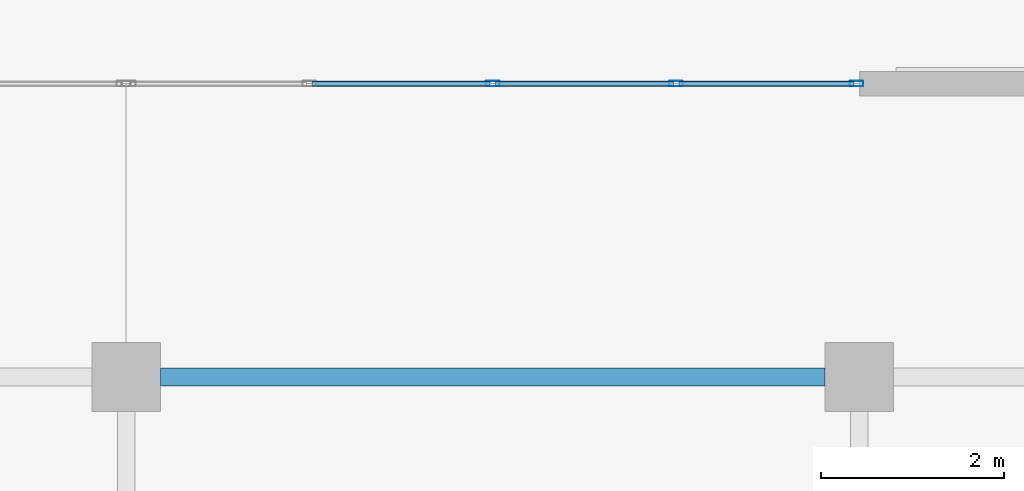
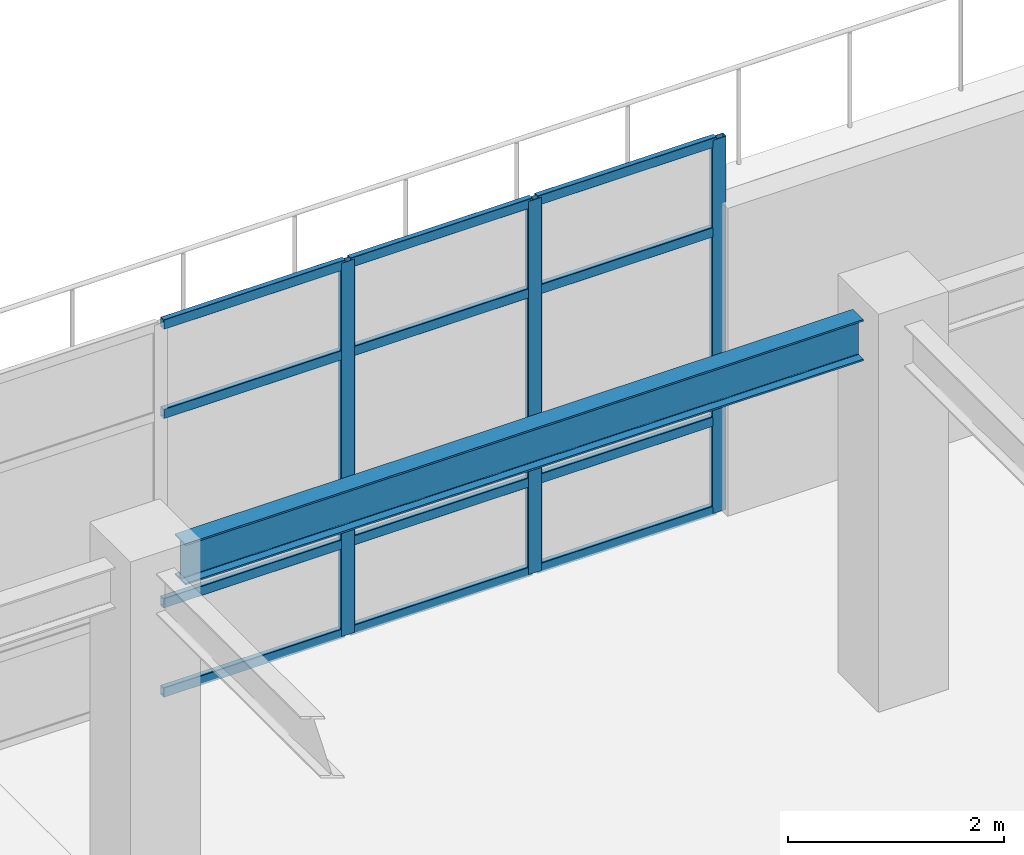
# One storey, part 16 of 42: 15 members, 1 beam, 1 element without a shape of its own.
"""IFC4 building model written with IfcOpenShell, lengths in metres."""

from ifc_helpers import new_model, si_unit, direction, frame, origin, origin_2d, place, context, subcontext, project, spatial, hollow_rectangle, i_section, extrude, material, material_profile, profile_set, type_object, element, aggregate, save


model = new_model("IFC4")

# Units and contexts
model_context = context("Model", 3, precision=1e-05, world=origin(), true_north=direction((0.0, 1.0)))
body_context = subcontext(model_context, "Body", "Model", "MODEL_VIEW")
ifc_project = project(units=[si_unit("LENGTHUNIT", "METRE"), si_unit("AREAUNIT", "SQUARE_METRE"), si_unit("VOLUMEUNIT", "CUBIC_METRE"), si_unit("PLANEANGLEUNIT", "RADIAN"), si_unit("MASSUNIT", "GRAM", prefix="KILO")], contexts=[model_context])

# Site, building, storey
site_placement = place(None, origin())
site = spatial("IfcSite", under=ifc_project, at=site_placement, CompositionType="ELEMENT")
building_placement = place(site_placement, origin())
building = spatial("IfcBuilding", under=site, at=building_placement, Name="Solmirada Galleria", CompositionType="ELEMENT")
storey_placement = place(building_placement, frame((0.0, 0.0, 28.39990234375)))
storey = spatial("IfcBuildingStorey", under=building, at=storey_placement, Name="L06", CompositionType="ELEMENT", Elevation=28.39990234375)

# Beam
ifc_material_1 = material(Name="Steel S355 / ASTM A992 Grade 50", Category="steel")
ifc_material_profile_1 = material_profile(ifc_material_1, i_section(OverallWidth=0.193115234375, OverallDepth=0.466064453125, WebThickness=0.011474609375, FlangeThickness=0.01904296875, FilletRadius=0.013916015625, at=origin_2d()), Name="W18X65")
ifc_profile_set_1 = profile_set([ifc_material_profile_1], Name="Steel S355 / ASTM A992 Grade 50")
beam_type = type_object("IfcBeamType", Name="BM-GIRD-W18C", PredefinedType="BEAM", material=ifc_profile_set_1)
beam_placement = place(storey_placement, frame((112.375, 16.0, 4.0400390625), z_axis=(1.0, 0.0, 0.0), x_axis=(0.0, 1.0, 0.0)))
element("IfcBeam", 1, at=beam_placement, inside=storey, type_object=beam_type, Name="South roof girder X=112..120", PredefinedType="BEAM", context=body_context, shape_type="SweptSolid", body=[
    extrude(i_section(OverallWidth=0.193115234375, OverallDepth=0.466064453125, WebThickness=0.011474609375, FlangeThickness=0.01904296875, FilletRadius=0.013916015625, at=origin_2d()), origin(), (0.0, 0.0, 1.0), 7.25),
])

# Curtain wall, members
ifc_material_2 = material(Name="Impact-resistant low-E double glazing", Category="glass")
curtain_wall_type = type_object("IfcCurtainWallType", Name="CW-FZ5-L06-B4-L080", PredefinedType="NOTDEFINED", material=ifc_material_2)
curtain_wall_placement = place(storey_placement, origin())
curtain_wall = element("IfcCurtainWall", 2, at=curtain_wall_placement, inside=storey, type_object=curtain_wall_type, Name="Terrace and arcade storefront CW-L06-200", PredefinedType="NOTDEFINED")
ifc_material_3 = material(Name="Anodised aluminium framing", Category="aluminium")
ifc_material_profile_2 = material_profile(ifc_material_3, hollow_rectangle(XDim=0.06005859375, YDim=0.14990234375, WallThickness=0.00341796875, InnerFilletRadius=0.00341796875, OuterFilletRadius=0.007080078125, at=origin_2d()), Name="ALU-MULL-150X60")
ifc_profile_set_2 = profile_set([ifc_material_profile_2], Name="Anodised aluminium framing")
member_type_1 = type_object("IfcMemberType", Name="CW-MULL-150", PredefinedType="MULLION", material=ifc_profile_set_2)
member_1_placement = place(storey_placement, frame((116.0, 19.199951171875, 0.0), z_axis=(0.0, 0.0, 1.0), x_axis=(0.0, 1.0, 0.0)))
member_1 = element("IfcMember", 3, at=member_1_placement, type_object=member_type_1, Name="CW39 mullion 3", PredefinedType="MULLION", context=body_context, shape_type="SweptSolid", body=[
    extrude(hollow_rectangle(XDim=0.06005859375, YDim=0.14990234375, WallThickness=0.00341796875, InnerFilletRadius=0.00341796875, OuterFilletRadius=0.007080078125, at=origin_2d()), origin(), (0.0, 0.0, 1.0), 4.22021484375),
])
member_2_placement = place(storey_placement, frame((118.0, 19.199951171875, 0.0), z_axis=(0.0, 0.0, 1.0), x_axis=(0.0, 1.0, 0.0)))
member_2 = element("IfcMember", 4, at=member_2_placement, type_object=member_type_1, Name="CW39 mullion 4", PredefinedType="MULLION", context=body_context, shape_type="SweptSolid", body=[
    extrude(hollow_rectangle(XDim=0.06005859375, YDim=0.14990234375, WallThickness=0.00341796875, InnerFilletRadius=0.00341796875, OuterFilletRadius=0.007080078125, at=origin_2d()), origin(), (0.0, 0.0, 1.0), 4.22021484375),
])
member_3_placement = place(storey_placement, frame((119.969970703125, 19.199951171875, 0.0), z_axis=(0.0, 0.0, 1.0), x_axis=(0.0, 1.0, 0.0)))
member_3 = element("IfcMember", 5, at=member_3_placement, type_object=member_type_1, Name="CW39 mullion 5", PredefinedType="MULLION", context=body_context, shape_type="SweptSolid", body=[
    extrude(hollow_rectangle(XDim=0.06005859375, YDim=0.14990234375, WallThickness=0.00341796875, InnerFilletRadius=0.00341796875, OuterFilletRadius=0.007080078125, at=origin_2d()), origin(), (0.0, 0.0, 1.0), 4.22021484375),
])
ifc_material_profile_3 = material_profile(ifc_material_3, hollow_rectangle(XDim=0.06005859375, YDim=0.110107421875, WallThickness=0.003173828125, InnerFilletRadius=0.003173828125, OuterFilletRadius=0.00634765625, at=origin_2d()), Name="ALU-TRAN-110X60")
ifc_profile_set_3 = profile_set([ifc_material_profile_3], Name="Anodised aluminium framing")
member_type_2 = type_object("IfcMemberType", Name="CW-TRAN-110", PredefinedType="USERDEFINED", material=ifc_profile_set_3)
member_4_placement = place(storey_placement, frame((114.030029296875, 19.199951171875, 0.030029296875), z_axis=(1.0, 0.0, 0.0), x_axis=(0.0, 1.0, 0.0)))
member_4 = element("IfcMember", 6, at=member_4_placement, type_object=member_type_2, Name="CW39 transom 2.1", ObjectType="TRANSOM", PredefinedType="USERDEFINED", context=body_context, shape_type="SweptSolid", body=[
    extrude(hollow_rectangle(XDim=0.06005859375, YDim=0.110107421875, WallThickness=0.003173828125, InnerFilletRadius=0.003173828125, OuterFilletRadius=0.00634765625, at=origin_2d()), origin(), (0.0, 0.0, 1.0), 1.93994140625),
])
member_5_placement = place(storey_placement, frame((114.030029296875, 19.199951171875, 1.0400390625), z_axis=(1.0, 0.0, 0.0), x_axis=(0.0, 1.0, 0.0)))
member_5 = element("IfcMember", 7, at=member_5_placement, type_object=member_type_2, Name="CW39 transom 2.2", ObjectType="TRANSOM", PredefinedType="USERDEFINED", context=body_context, shape_type="SweptSolid", body=[
    extrude(hollow_rectangle(XDim=0.06005859375, YDim=0.110107421875, WallThickness=0.003173828125, InnerFilletRadius=0.003173828125, OuterFilletRadius=0.00634765625, at=origin_2d()), origin(), (0.0, 0.0, 1.0), 1.93994140625),
])
member_6_placement = place(storey_placement, frame((114.030029296875, 19.199951171875, 3.18017578125), z_axis=(1.0, 0.0, 0.0), x_axis=(0.0, 1.0, 0.0)))
member_6 = element("IfcMember", 8, at=member_6_placement, type_object=member_type_2, Name="CW39 transom 2.3", ObjectType="TRANSOM", PredefinedType="USERDEFINED", context=body_context, shape_type="SweptSolid", body=[
    extrude(hollow_rectangle(XDim=0.06005859375, YDim=0.110107421875, WallThickness=0.003173828125, InnerFilletRadius=0.003173828125, OuterFilletRadius=0.00634765625, at=origin_2d()), origin(), (0.0, 0.0, 1.0), 1.93994140625),
])
member_7_placement = place(storey_placement, frame((114.030029296875, 19.199951171875, 4.190185546875), z_axis=(1.0, 0.0, 0.0), x_axis=(0.0, 1.0, 0.0)))
member_7 = element("IfcMember", 9, at=member_7_placement, type_object=member_type_2, Name="CW39 transom 2.4", ObjectType="TRANSOM", PredefinedType="USERDEFINED", context=body_context, shape_type="SweptSolid", body=[
    extrude(hollow_rectangle(XDim=0.06005859375, YDim=0.110107421875, WallThickness=0.003173828125, InnerFilletRadius=0.003173828125, OuterFilletRadius=0.00634765625, at=origin_2d()), origin(), (0.0, 0.0, 1.0), 1.93994140625),
])
member_8_placement = place(storey_placement, frame((116.030029296875, 19.199951171875, 0.030029296875), z_axis=(1.0, 0.0, 0.0), x_axis=(0.0, 1.0, 0.0)))
member_8 = element("IfcMember", 10, at=member_8_placement, type_object=member_type_2, Name="CW39 transom 3.1", ObjectType="TRANSOM", PredefinedType="USERDEFINED", context=body_context, shape_type="SweptSolid", body=[
    extrude(hollow_rectangle(XDim=0.06005859375, YDim=0.110107421875, WallThickness=0.003173828125, InnerFilletRadius=0.003173828125, OuterFilletRadius=0.00634765625, at=origin_2d()), origin(), (0.0, 0.0, 1.0), 1.93994140625),
])
member_9_placement = place(storey_placement, frame((116.030029296875, 19.199951171875, 1.0400390625), z_axis=(1.0, 0.0, 0.0), x_axis=(0.0, 1.0, 0.0)))
member_9 = element("IfcMember", 11, at=member_9_placement, type_object=member_type_2, Name="CW39 transom 3.2", ObjectType="TRANSOM", PredefinedType="USERDEFINED", context=body_context, shape_type="SweptSolid", body=[
    extrude(hollow_rectangle(XDim=0.06005859375, YDim=0.110107421875, WallThickness=0.003173828125, InnerFilletRadius=0.003173828125, OuterFilletRadius=0.00634765625, at=origin_2d()), origin(), (0.0, 0.0, 1.0), 1.93994140625),
])
member_10_placement = place(storey_placement, frame((116.030029296875, 19.199951171875, 3.18017578125), z_axis=(1.0, 0.0, 0.0), x_axis=(0.0, 1.0, 0.0)))
member_10 = element("IfcMember", 12, at=member_10_placement, type_object=member_type_2, Name="CW39 transom 3.3", ObjectType="TRANSOM", PredefinedType="USERDEFINED", context=body_context, shape_type="SweptSolid", body=[
    extrude(hollow_rectangle(XDim=0.06005859375, YDim=0.110107421875, WallThickness=0.003173828125, InnerFilletRadius=0.003173828125, OuterFilletRadius=0.00634765625, at=origin_2d()), origin(), (0.0, 0.0, 1.0), 1.93994140625),
])
member_11_placement = place(storey_placement, frame((116.030029296875, 19.199951171875, 4.190185546875), z_axis=(1.0, 0.0, 0.0), x_axis=(0.0, 1.0, 0.0)))
member_11 = element("IfcMember", 13, at=member_11_placement, type_object=member_type_2, Name="CW39 transom 3.4", ObjectType="TRANSOM", PredefinedType="USERDEFINED", context=body_context, shape_type="SweptSolid", body=[
    extrude(hollow_rectangle(XDim=0.06005859375, YDim=0.110107421875, WallThickness=0.003173828125, InnerFilletRadius=0.003173828125, OuterFilletRadius=0.00634765625, at=origin_2d()), origin(), (0.0, 0.0, 1.0), 1.93994140625),
])
member_12_placement = place(storey_placement, frame((118.030029296875, 19.199951171875, 0.030029296875), z_axis=(1.0, 0.0, 0.0), x_axis=(0.0, 1.0, 0.0)))
member_12 = element("IfcMember", 14, at=member_12_placement, type_object=member_type_2, Name="CW39 transom 4.1", ObjectType="TRANSOM", PredefinedType="USERDEFINED", context=body_context, shape_type="SweptSolid", body=[
    extrude(hollow_rectangle(XDim=0.06005859375, YDim=0.110107421875, WallThickness=0.003173828125, InnerFilletRadius=0.003173828125, OuterFilletRadius=0.00634765625, at=origin_2d()), origin(), (0.0, 0.0, 1.0), 1.909912109375),
])
member_13_placement = place(storey_placement, frame((118.030029296875, 19.199951171875, 1.0400390625), z_axis=(1.0, 0.0, 0.0), x_axis=(0.0, 1.0, 0.0)))
member_13 = element("IfcMember", 15, at=member_13_placement, type_object=member_type_2, Name="CW39 transom 4.2", ObjectType="TRANSOM", PredefinedType="USERDEFINED", context=body_context, shape_type="SweptSolid", body=[
    extrude(hollow_rectangle(XDim=0.06005859375, YDim=0.110107421875, WallThickness=0.003173828125, InnerFilletRadius=0.003173828125, OuterFilletRadius=0.00634765625, at=origin_2d()), origin(), (0.0, 0.0, 1.0), 1.909912109375),
])
member_14_placement = place(storey_placement, frame((118.030029296875, 19.199951171875, 3.18017578125), z_axis=(1.0, 0.0, 0.0), x_axis=(0.0, 1.0, 0.0)))
member_14 = element("IfcMember", 16, at=member_14_placement, type_object=member_type_2, Name="CW39 transom 4.3", ObjectType="TRANSOM", PredefinedType="USERDEFINED", context=body_context, shape_type="SweptSolid", body=[
    extrude(hollow_rectangle(XDim=0.06005859375, YDim=0.110107421875, WallThickness=0.003173828125, InnerFilletRadius=0.003173828125, OuterFilletRadius=0.00634765625, at=origin_2d()), origin(), (0.0, 0.0, 1.0), 1.909912109375),
])
member_15_placement = place(storey_placement, frame((118.030029296875, 19.199951171875, 4.190185546875), z_axis=(1.0, 0.0, 0.0), x_axis=(0.0, 1.0, 0.0)))
member_15 = element("IfcMember", 17, at=member_15_placement, type_object=member_type_2, Name="CW39 transom 4.4", ObjectType="TRANSOM", PredefinedType="USERDEFINED", context=body_context, shape_type="SweptSolid", body=[
    extrude(hollow_rectangle(XDim=0.06005859375, YDim=0.110107421875, WallThickness=0.003173828125, InnerFilletRadius=0.003173828125, OuterFilletRadius=0.00634765625, at=origin_2d()), origin(), (0.0, 0.0, 1.0), 1.909912109375),
])
aggregate(curtain_wall, [member_1, member_2, member_3, member_4, member_5, member_6, member_7, member_8, member_9, member_10, member_11, member_12, member_13, member_14, member_15])

save(model, "model.ifc")
